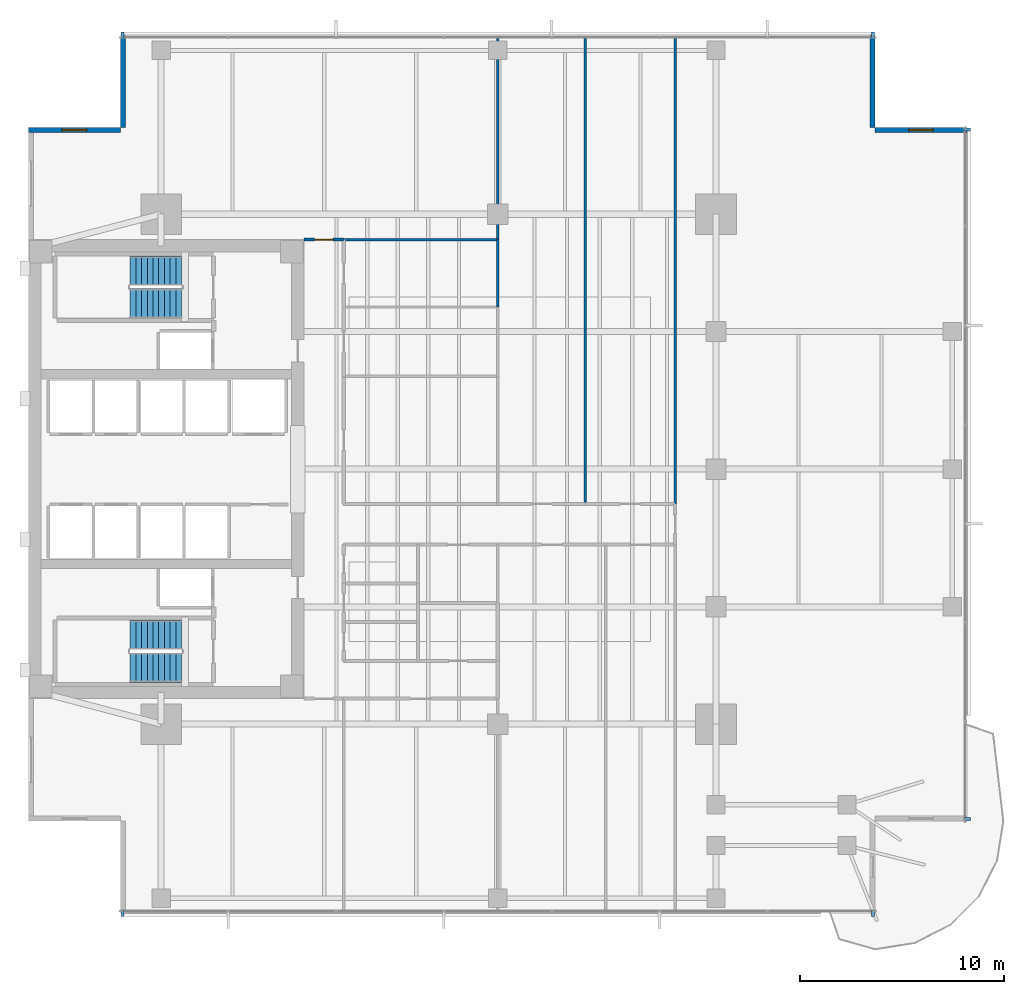
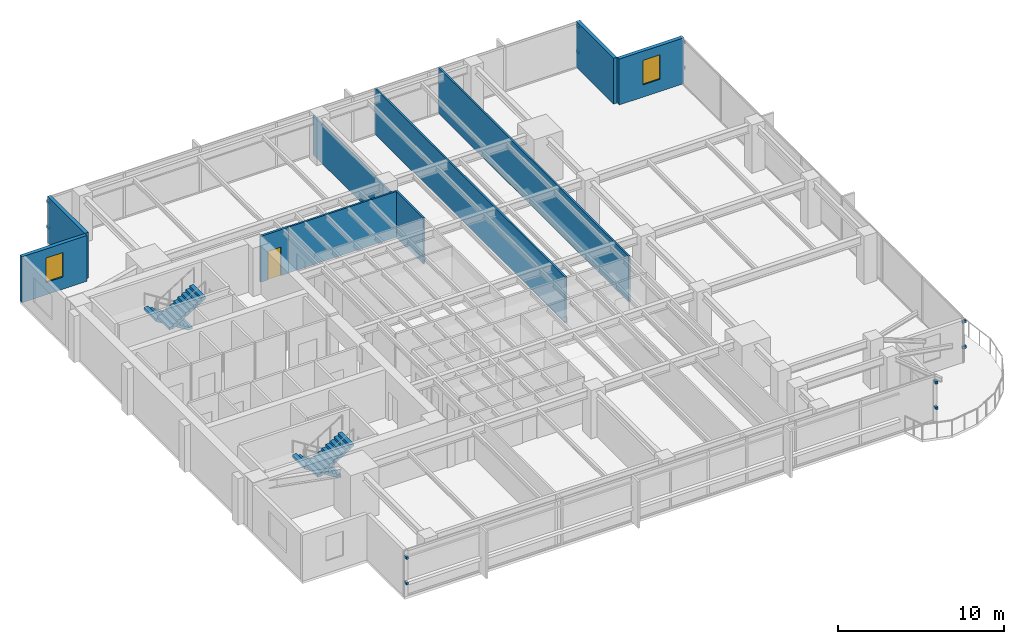
# One storey, part 10 of 14: 12 discrete accessories, 10 walls, 4 stair flights, 2 windows, 1 door, 3 openings, 2 elements without a shape of their own.
"""IFC4 building model written with IfcOpenShell, lengths in metres."""

from ifc_helpers import new_model, si_unit, direction, frame, frame_2d, origin, origin_2d, place, context, subcontext, project, spatial, polyline, rectangle, outline, extrude, material, layer, layer_set, type_object, element, fill, aggregate, save


model = new_model("IFC4")

# Units and contexts
model_context = context("Model", 3, precision=1e-05, world=origin(), true_north=direction((0.0, 1.0)))
body_context = subcontext(model_context, "Body", "Model", "MODEL_VIEW")
ifc_project = project(units=[si_unit("LENGTHUNIT", "METRE"), si_unit("AREAUNIT", "SQUARE_METRE"), si_unit("VOLUMEUNIT", "CUBIC_METRE"), si_unit("PLANEANGLEUNIT", "RADIAN"), si_unit("MASSUNIT", "GRAM", prefix="KILO")], contexts=[model_context])

# Site, building, storey
site_placement = place(None, origin())
site = spatial("IfcSite", under=ifc_project, at=site_placement, CompositionType="ELEMENT")
building_placement = place(site_placement, origin())
building = spatial("IfcBuilding", under=site, at=building_placement, Name="Kinhvarn Gate Tower", CompositionType="ELEMENT")
storey_placement = place(building_placement, frame((0.0, 0.0, 130.64990234375)))
storey = spatial("IfcBuildingStorey", under=building, at=storey_placement, Name="L34", CompositionType="ELEMENT", Elevation=130.64990234375)

# Wall, opening, window
ifc_material_1 = material(Name="Fired architectural terracotta", Category="masonry")
ifc_layer_1 = layer(ifc_material_1, 0.25)
ifc_layer_set_1 = layer_set([ifc_layer_1], Name="Fired architectural terracotta")
wall_type_1 = type_object("IfcWallType", Name="WL-EXT-250", PredefinedType="SOLIDWALL", material=ifc_layer_set_1)
wall_1_placement = place(storey_placement, frame((50.5, 41.875, 0.0), z_axis=(0.0, 0.0, 1.0), x_axis=(-1.0, 0.0, 0.0)))
wall_1 = element("IfcWall", 1, at=wall_1_placement, inside=storey, type_object=wall_type_1, Name="Exterior Solidwall Wall EW-250 (L34 NE-Notch-1)", PredefinedType="SOLIDWALL", context=body_context, shape_type="SweptSolid", body=[
    extrude(rectangle(XDim=4.5, YDim=0.25, at=frame_2d((2.25, 0.0))), origin(), (0.0, 0.0, 1.0), 3.3701171875),
])
opening_1_placement = place(wall_1_placement, frame((1.64990234375, 0.0, 0.89990234375)))
opening_1 = element("IfcOpeningElement", 2, at=opening_1_placement, cuts=wall_1, Name="Opening WN-02", PredefinedType="OPENING", context=body_context, shape_type="SweptSolid", body=[
    extrude(rectangle(XDim=1.199951171875, YDim=1.800048828125, at=frame_2d((0.60009765625, 0.89990234375))), frame((0.0, 0.135009765625, 0.0), z_axis=(0.0, -1.0, 0.0), x_axis=(1.0, 0.0, 0.0)), (0.0, 0.0, 1.0), 0.27001953125),
])
ifc_material_2 = material(Name="Clear low-e double glazing", Category="glass")
window_type = type_object("IfcWindowType", Name="WIN-NTC-1200", PartitioningType="SINGLE_PANEL", PredefinedType="WINDOW", material=ifc_material_2)
window_1_placement = place(opening_1_placement, origin())
window_1 = element("IfcWindow", 3, at=window_1_placement, inside=storey, type_object=window_type, Name="Recessed Corner Notch Punched Window 1200x1800 mm (L34)", OverallHeight=1.800048828125, OverallWidth=1.199951171875, PartitioningType="SINGLE_PANEL", PredefinedType="WINDOW", context=body_context, shape_type="SweptSolid", body=[
    extrude(rectangle(XDim=1.199951171875, YDim=1.800048828125, at=frame_2d((0.60009765625, 0.89990234375))), frame((0.0, 0.030029296875, 0.0), z_axis=(0.0, -1.0, 0.0), x_axis=(1.0, 0.0, 0.0)), (0.0, 0.0, 1.0), 0.06005859375),
])
fill(opening_1, window_1)

# Walls
for number, where, z_axis, x_axis, name in (
    (4, (45.875, 42.0, 0.0), (0.0, 0.0, 1.0), (0.0, 1.0, 0.0), "Exterior Solidwall Wall EW-250 (L34 NE-Notch-2)"),
    (5, (9.125, 46.5, 0.0), (0.0, 0.0, 1.0), (0.0, -1.0, 0.0), "Exterior Solidwall Wall EW-250 (L34 NW-Notch-1)"),
):
    element("IfcWall", number, at=place(storey_placement, frame(where, z_axis=z_axis, x_axis=x_axis)), inside=storey, type_object=wall_type_1, Name=name, PredefinedType="SOLIDWALL", context=body_context, shape_type="SweptSolid", body=[
        extrude(rectangle(XDim=4.5, YDim=0.25, at=frame_2d((2.25, 0.0))), origin(), (0.0, 0.0, 1.0), 3.3701171875),
    ])

# Wall, opening, window
wall_2_placement = place(storey_placement, frame((9.0, 41.875, 0.0), z_axis=(0.0, 0.0, 1.0), x_axis=(-1.0, 0.0, 0.0)))
wall_2 = element("IfcWall", 6, at=wall_2_placement, inside=storey, type_object=wall_type_1, Name="Exterior Solidwall Wall EW-250 (L34 NW-Notch-2)", PredefinedType="SOLIDWALL", context=body_context, shape_type="SweptSolid", body=[
    extrude(rectangle(XDim=4.5, YDim=0.25, at=frame_2d((2.25, 0.0))), origin(), (0.0, 0.0, 1.0), 3.3701171875),
])
opening_2_placement = place(wall_2_placement, frame((1.64990234375, 0.0, 0.89990234375)))
opening_2 = element("IfcOpeningElement", 7, at=opening_2_placement, cuts=wall_2, Name="Opening WN-02", PredefinedType="OPENING", context=body_context, shape_type="SweptSolid", body=[
    extrude(rectangle(XDim=1.199951171875, YDim=1.800048828125, at=frame_2d((0.60009765625, 0.89990234375))), frame((0.0, 0.135009765625, 0.0), z_axis=(0.0, -1.0, 0.0), x_axis=(1.0, 0.0, 0.0)), (0.0, 0.0, 1.0), 0.27001953125),
])
window_2_placement = place(opening_2_placement, origin())
window_2 = element("IfcWindow", 8, at=window_2_placement, inside=storey, type_object=window_type, Name="Recessed Corner Notch Punched Window 1200x1800 mm (L34)", OverallHeight=1.800048828125, OverallWidth=1.199951171875, PartitioningType="SINGLE_PANEL", PredefinedType="WINDOW", context=body_context, shape_type="SweptSolid", body=[
    extrude(rectangle(XDim=1.199951171875, YDim=1.800048828125, at=frame_2d((0.60009765625, 0.89990234375))), frame((0.0, 0.030029296875, 0.0), z_axis=(0.0, -1.0, 0.0), x_axis=(1.0, 0.0, 0.0)), (0.0, 0.0, 1.0), 0.06005859375),
])
fill(opening_2, window_2)

# Walls
ifc_material_3 = material(Name="Gypsum acoustic partition board")
ifc_layer_2 = layer(ifc_material_3, 0.1201171875)
ifc_layer_set_2 = layer_set([ifc_layer_2], Name="Gypsum acoustic partition board")
wall_type_2 = type_object("IfcWallType", Name="WL-PRT-120", PredefinedType="PARTITIONING", material=ifc_layer_set_2)
wall_3_placement = place(storey_placement, frame((19.949951171875, 36.5, 0.0), z_axis=(0.0, 0.0, 1.0), x_axis=(1.0, 0.0, 0.0)))
element("IfcWall", 9, at=wall_3_placement, inside=storey, type_object=wall_type_2, Name="Interior Partition PW-120 (L34)", PredefinedType="PARTITIONING", context=body_context, shape_type="SweptSolid", body=[
    extrude(rectangle(XDim=7.550048828125, YDim=0.1201171875, at=frame_2d((3.77490234375, 0.0))), origin(), (0.0, 0.0, 1.0), 3.3701171875),
])
wall_4_placement = place(storey_placement, frame((27.5, 33.199951171875, 0.0), z_axis=(0.0, 0.0, 1.0), x_axis=(0.0, 1.0, 0.0)))
element("IfcWall", 10, at=wall_4_placement, inside=storey, type_object=wall_type_2, Name="Interior Partition PW-120 (L34)", PredefinedType="PARTITIONING", context=body_context, shape_type="SweptSolid", body=[
    extrude(rectangle(XDim=3.300048828125, YDim=0.1201171875, at=frame_2d((1.64990234375, 0.0))), origin(), (0.0, 0.0, 1.0), 3.3701171875),
])
wall_5_placement = place(storey_placement, frame((27.5, 36.5, 0.0), z_axis=(0.0, 0.0, 1.0), x_axis=(0.0, 1.0, 0.0)))
element("IfcWall", 11, at=wall_5_placement, inside=storey, type_object=wall_type_2, Name="Interior Partition PW-120 (L34)", PredefinedType="PARTITIONING", context=body_context, shape_type="SweptSolid", body=[
    extrude(rectangle(XDim=9.989990234375, YDim=0.1201171875, at=frame_2d((4.9951171875, 0.0))), origin(), (0.0, 0.0, 1.0), 2.8701171875),
])
for number, where, z_axis, x_axis, name in (
    (12, (31.800048828125, 23.550048828125, 0.0), (0.0, 0.0, 1.0), (0.0, 1.0, 0.0), "Interior Partition PW-120 (L34)"),
    (13, (36.199951171875, 23.550048828125, 0.0), (0.0, 0.0, 1.0), (0.0, 1.0, 0.0), "Interior Partition PW-120 (L34)"),
):
    element("IfcWall", number, at=place(storey_placement, frame(where, z_axis=z_axis, x_axis=x_axis)), inside=storey, type_object=wall_type_2, Name=name, PredefinedType="PARTITIONING", context=body_context, shape_type="SweptSolid", body=[
        extrude(rectangle(XDim=22.93994140625, YDim=0.1201171875, at=frame_2d((11.469970703125, 0.0))), origin(), (0.0, 0.0, 1.0), 3.3701171875),
    ])

# Wall, opening, door
ifc_layer_3 = layer(ifc_material_3, 0.14990234375)
ifc_layer_set_3 = layer_set([ifc_layer_3], Name="Gypsum acoustic partition board")
wall_type_3 = type_object("IfcWallType", Name="WL-PRT-150F", PredefinedType="PARTITIONING", material=ifc_layer_set_3)
wall_6_placement = place(storey_placement, frame((18.0, 36.5, 0.0), z_axis=(0.0, 0.0, 1.0), x_axis=(1.0, 0.0, 0.0)))
wall_6 = element("IfcWall", 14, at=wall_6_placement, inside=storey, type_object=wall_type_3, Name="Interior Partition PW-150F (L34)", PredefinedType="PARTITIONING", context=body_context, shape_type="SweptSolid", body=[
    extrude(rectangle(XDim=1.949951171875, YDim=0.14990234375, at=frame_2d((0.97509765625, 0.0))), origin(), (0.0, 0.0, 1.0), 3.3701171875),
])
opening_3_placement = place(wall_6_placement, frame((0.52490234375, 0.0, 0.0)))
opening_3 = element("IfcOpeningElement", 15, at=opening_3_placement, cuts=wall_6, Name="Opening ID-03", PredefinedType="OPENING", context=body_context, shape_type="SweptSolid", body=[
    extrude(rectangle(XDim=0.89990234375, YDim=2.10009765625, at=frame_2d((0.449951171875, 1.050048828125))), frame((0.0, 0.0849609375, 0.0), z_axis=(0.0, -1.0, 0.0), x_axis=(1.0, 0.0, 0.0)), (0.0, 0.0, 1.0), 0.169921875),
])
ifc_material_4 = material(Name="Anodised aluminium AW-6063", Category="aluminium")
door_type = type_object("IfcDoorType", Name="DR-INT-900", OperationType="NOTDEFINED", PredefinedType="DOOR", material=ifc_material_4)
door_placement = place(opening_3_placement, origin())
door = element("IfcDoor", 16, at=door_placement, inside=storey, type_object=door_type, Name="Cellular Office & Restroom Door 900x2100 mm (L34)", OperationType="SINGLE_SWING_RIGHT", OverallHeight=2.10009765625, OverallWidth=0.89990234375, PredefinedType="DOOR", context=body_context, shape_type="SweptSolid", body=[
    extrude(rectangle(XDim=0.89990234375, YDim=2.10009765625, at=frame_2d((0.449951171875, 1.050048828125))), frame((0.0, 0.02490234375, 0.0), z_axis=(0.0, -1.0, 0.0), x_axis=(1.0, 0.0, 0.0)), (0.0, 0.0, 1.0), 0.050048828125),
])
fill(opening_3, door)

# Stair, stair flights
ifc_material_5 = material(Name="Concrete C40/50", Category="concrete")
stair_type = type_object("IfcStairType", Name="STR-DLG-177", PredefinedType="HALF_TURN_STAIR", material=ifc_material_5)
stair_1_placement = place(storey_placement, origin())
stair_1 = element("IfcStair", 17, at=stair_1_placement, inside=storey, type_object=stair_type, Name="L34 Core Smokeproof Exit Stair ST1", PredefinedType="HALF_TURN_STAIR")
stair_flight_type = type_object("IfcStairFlightType", Name="STF-DLG-177", PredefinedType="STRAIGHT", material=ifc_material_5)
stair_flight_1_placement = place(storey_placement, frame((12.0, 17.125, 0.0), z_axis=(0.0, 0.0, 1.0), x_axis=(-1.0, 0.0, 0.0)))
stair_flight_1 = element("IfcStairFlight", 18, at=stair_flight_1_placement, type_object=stair_flight_type, Name="ST1 flight 1", NumberOfRisers=10, NumberOfTreads=9, PredefinedType="STRAIGHT", RiserHeight=0.1775, TreadLength=0.28, context=body_context, shape_type="SweptSolid", body=[
    extrude(outline(polyline([(0.0, 0.0), (0.0, 0.177490234375), (0.280029296875, 0.177490234375), (0.280029296875, 0.35498046875), (0.56005859375, 0.35498046875), (0.56005859375, 0.532470703125), (0.840087890625, 0.532470703125), (0.840087890625, 0.7099609375), (1.1201171875, 0.7099609375), (1.1201171875, 0.887451171875), (1.39990234375, 0.887451171875), (1.39990234375, 1.06494140625), (1.679931640625, 1.06494140625), (1.679931640625, 1.242431640625), (1.9599609375, 1.242431640625), (1.9599609375, 1.419921875), (2.239990234375, 1.419921875), (2.239990234375, 1.597412109375), (2.52001953125, 1.597412109375), (2.52001953125, 1.77490234375), (2.52001953125, 1.419921875), (0.280029296875, 0.0), (0.0, 0.0)])), frame((0.0, 0.72509765625, 0.0), z_axis=(0.0, -1.0, 0.0), x_axis=(1.0, 0.0, 0.0)), (0.0, 0.0, 1.0), 1.449951171875),
])
stair_flight_2_placement = place(storey_placement, frame((9.47998046875, 15.52490234375, 1.775146484375), z_axis=(0.0, 0.0, 1.0), x_axis=(1.0, 0.0, 0.0)))
stair_flight_2 = element("IfcStairFlight", 19, at=stair_flight_2_placement, type_object=stair_flight_type, Name="ST1 flight 2", NumberOfRisers=10, NumberOfTreads=9, PredefinedType="STRAIGHT", RiserHeight=0.1775, TreadLength=0.28, context=body_context, shape_type="SweptSolid", body=[
    extrude(outline(polyline([(0.0, 0.0), (0.0, 0.177490234375), (0.280029296875, 0.177490234375), (0.280029296875, 0.35498046875), (0.56005859375, 0.35498046875), (0.56005859375, 0.532470703125), (0.840087890625, 0.532470703125), (0.840087890625, 0.7099609375), (1.1201171875, 0.7099609375), (1.1201171875, 0.887451171875), (1.39990234375, 0.887451171875), (1.39990234375, 1.06494140625), (1.679931640625, 1.06494140625), (1.679931640625, 1.242431640625), (1.9599609375, 1.242431640625), (1.9599609375, 1.419921875), (2.239990234375, 1.419921875), (2.239990234375, 1.597412109375), (2.52001953125, 1.597412109375), (2.52001953125, 1.77490234375), (2.52001953125, 1.419921875), (0.280029296875, 0.0), (0.0, 0.0)])), frame((0.0, 0.72509765625, 0.0), z_axis=(0.0, -1.0, 0.0), x_axis=(1.0, 0.0, 0.0)), (0.0, 0.0, 1.0), 1.449951171875),
])
aggregate(stair_1, [stair_flight_1, stair_flight_2])

stair_2_placement = place(storey_placement, origin())
stair_2 = element("IfcStair", 20, at=stair_2_placement, inside=storey, type_object=stair_type, Name="L34 Core Smokeproof Exit Stair ST2", PredefinedType="HALF_TURN_STAIR")
stair_flight_3_placement = place(storey_placement, frame((12.0, 34.97509765625, 0.0), z_axis=(0.0, 0.0, 1.0), x_axis=(-1.0, 0.0, 0.0)))
stair_flight_3 = element("IfcStairFlight", 21, at=stair_flight_3_placement, type_object=stair_flight_type, Name="ST2 flight 1", NumberOfRisers=10, NumberOfTreads=9, PredefinedType="STRAIGHT", RiserHeight=0.1775, TreadLength=0.28, context=body_context, shape_type="SweptSolid", body=[
    extrude(outline(polyline([(0.0, 0.0), (0.0, 0.177490234375), (0.280029296875, 0.177490234375), (0.280029296875, 0.35498046875), (0.56005859375, 0.35498046875), (0.56005859375, 0.532470703125), (0.840087890625, 0.532470703125), (0.840087890625, 0.7099609375), (1.1201171875, 0.7099609375), (1.1201171875, 0.887451171875), (1.39990234375, 0.887451171875), (1.39990234375, 1.06494140625), (1.679931640625, 1.06494140625), (1.679931640625, 1.242431640625), (1.9599609375, 1.242431640625), (1.9599609375, 1.419921875), (2.239990234375, 1.419921875), (2.239990234375, 1.597412109375), (2.52001953125, 1.597412109375), (2.52001953125, 1.77490234375), (2.52001953125, 1.419921875), (0.280029296875, 0.0), (0.0, 0.0)])), frame((0.0, 0.72509765625, 0.0), z_axis=(0.0, -1.0, 0.0), x_axis=(1.0, 0.0, 0.0)), (0.0, 0.0, 1.0), 1.449951171875),
])
stair_flight_4_placement = place(storey_placement, frame((9.47998046875, 33.375, 1.775146484375), z_axis=(0.0, 0.0, 1.0), x_axis=(1.0, 0.0, 0.0)))
stair_flight_4 = element("IfcStairFlight", 22, at=stair_flight_4_placement, type_object=stair_flight_type, Name="ST2 flight 2", NumberOfRisers=10, NumberOfTreads=9, PredefinedType="STRAIGHT", RiserHeight=0.1775, TreadLength=0.28, context=body_context, shape_type="SweptSolid", body=[
    extrude(outline(polyline([(0.0, 0.0), (0.0, 0.177490234375), (0.280029296875, 0.177490234375), (0.280029296875, 0.35498046875), (0.56005859375, 0.35498046875), (0.56005859375, 0.532470703125), (0.840087890625, 0.532470703125), (0.840087890625, 0.7099609375), (1.1201171875, 0.7099609375), (1.1201171875, 0.887451171875), (1.39990234375, 0.887451171875), (1.39990234375, 1.06494140625), (1.679931640625, 1.06494140625), (1.679931640625, 1.242431640625), (1.9599609375, 1.242431640625), (1.9599609375, 1.419921875), (2.239990234375, 1.419921875), (2.239990234375, 1.597412109375), (2.52001953125, 1.597412109375), (2.52001953125, 1.77490234375), (2.52001953125, 1.419921875), (0.280029296875, 0.0), (0.0, 0.0)])), frame((0.0, 0.72509765625, 0.0), z_axis=(0.0, -1.0, 0.0), x_axis=(1.0, 0.0, 0.0)), (0.0, 0.0, 1.0), 1.449951171875),
])
aggregate(stair_2, [stair_flight_3, stair_flight_4])

# Discrete accessories
discrete_accessory_type = type_object("IfcDiscreteAccessoryType", Name="ACC-BRK-01", PredefinedType="BRACKET", material=ifc_material_4)
for number, where, z_axis, x_axis, name in (
    (23, (9.10009765625, 3.469970703125, 0.9599609375), (0.0, 0.0, 1.0), (1.0, 0.0, 0.0), "Baguette Support Bracket BK-01 (L34)"),
    (24, (9.10009765625, 3.469970703125, 2.830078125), (0.0, 0.0, 1.0), (1.0, 0.0, 0.0), "Baguette Support Bracket BK-01 (L34)"),
    (25, (45.89990234375, 3.469970703125, 0.9599609375), (0.0, 0.0, 1.0), (1.0, 0.0, 0.0), "Baguette Support Bracket BK-01 (L34)"),
    (26, (45.89990234375, 3.469970703125, 2.830078125), (0.0, 0.0, 1.0), (1.0, 0.0, 0.0), "Baguette Support Bracket BK-01 (L34)"),
    (27, (45.89990234375, 46.530029296875, 0.9599609375), (0.0, 0.0, 1.0), (-1.0, 0.0, 0.0), "Baguette Support Bracket BK-01 (L34)"),
    (28, (45.89990234375, 46.530029296875, 2.830078125), (0.0, 0.0, 1.0), (-1.0, 0.0, 0.0), "Baguette Support Bracket BK-01 (L34)"),
    (29, (9.10009765625, 46.530029296875, 0.9599609375), (0.0, 0.0, 1.0), (-1.0, 0.0, 0.0), "Baguette Support Bracket BK-01 (L34)"),
    (30, (9.10009765625, 46.530029296875, 2.830078125), (0.0, 0.0, 1.0), (-1.0, 0.0, 0.0), "Baguette Support Bracket BK-01 (L34)"),
    (31, (50.530029296875, 8.10009765625, 0.9599609375), (0.0, 0.0, 1.0), (0.0, 1.0, 0.0), "Baguette Support Bracket BK-01 (L34)"),
    (32, (50.530029296875, 8.10009765625, 2.830078125), (0.0, 0.0, 1.0), (0.0, 1.0, 0.0), "Baguette Support Bracket BK-01 (L34)"),
    (33, (50.530029296875, 41.89990234375, 0.9599609375), (0.0, 0.0, 1.0), (0.0, 1.0, 0.0), "Baguette Support Bracket BK-01 (L34)"),
    (34, (50.530029296875, 41.89990234375, 2.830078125), (0.0, 0.0, 1.0), (0.0, 1.0, 0.0), "Baguette Support Bracket BK-01 (L34)"),
):
    element("IfcDiscreteAccessory", number, at=place(storey_placement, frame(where, z_axis=z_axis, x_axis=x_axis)), inside=storey, type_object=discrete_accessory_type, Name=name, PredefinedType="BRACKET", context=body_context, shape_type="SweptSolid", body=[
        extrude(rectangle(XDim=0.139892578125, YDim=0.280029296875, at=origin_2d()), origin(), (0.0, 0.0, 1.0), 0.179931640625),
    ])

save(model, "model.ifc")
